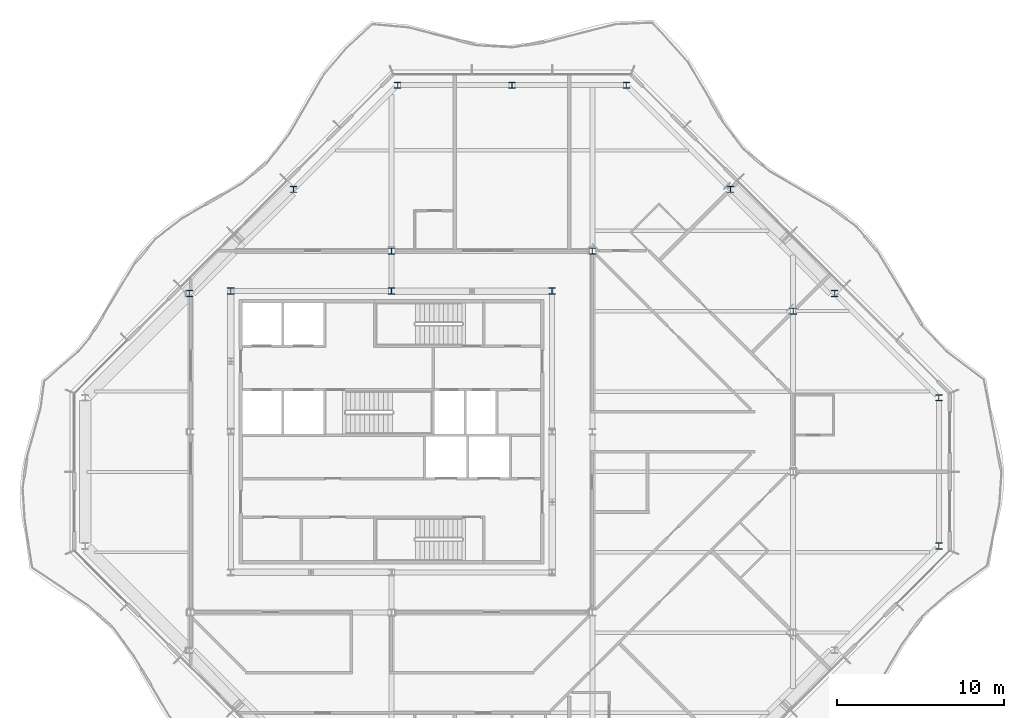
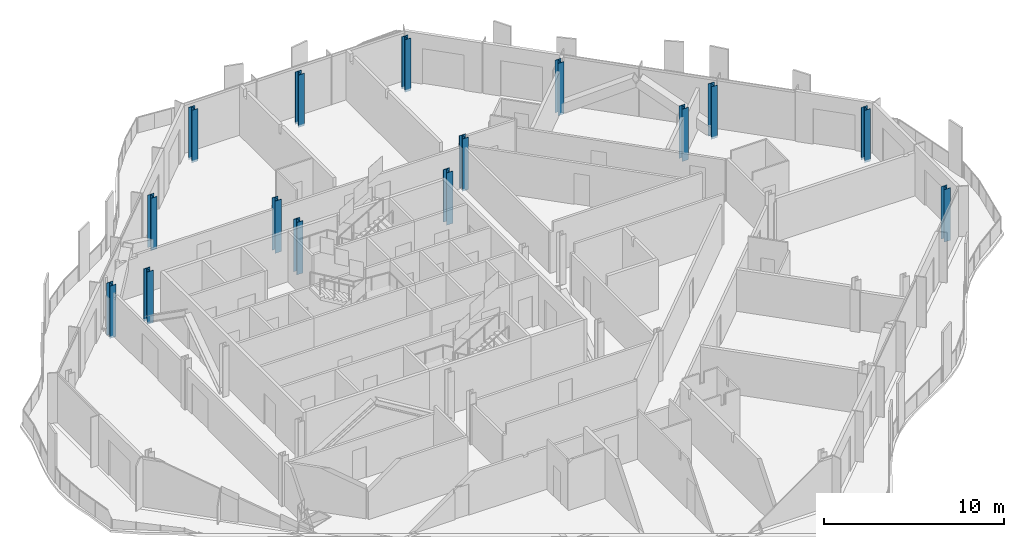
# One storey, part 2 of 17: 15 columns.
"""IFC4 building model written with IfcOpenShell, lengths in metres."""

from ifc_helpers import new_model, si_unit, direction, frame, origin, origin_2d, place, context, subcontext, project, spatial, i_section, extrude, material, material_profile, profile_set, type_object, element, save


model = new_model("IFC4")

# Units and contexts
model_context = context("Model", 3, precision=1e-05, world=origin(), true_north=direction((0.0, 1.0)))
body_context = subcontext(model_context, "Body", "Model", "MODEL_VIEW")
ifc_project = project(units=[si_unit("LENGTHUNIT", "METRE"), si_unit("AREAUNIT", "SQUARE_METRE"), si_unit("VOLUMEUNIT", "CUBIC_METRE"), si_unit("PLANEANGLEUNIT", "RADIAN"), si_unit("MASSUNIT", "GRAM", prefix="KILO")], contexts=[model_context])

# Site, building, storey
site_placement = place(None, origin())
site = spatial("IfcSite", under=ifc_project, at=site_placement, CompositionType="ELEMENT")
building_placement = place(site_placement, origin())
building = spatial("IfcBuilding", under=site, at=building_placement, Name="Cairn Pilgrim Tower", CompositionType="ELEMENT")
storey_placement = place(building_placement, frame((0.0, 0.0, 292.199951171875)))
storey = spatial("IfcBuildingStorey", under=building, at=storey_placement, Name="L75", CompositionType="ELEMENT", Elevation=292.199951171875)

# Columns
ifc_material = material(Name="Structural steel S355J2", Category="steel")
ifc_material_profile_1 = material_profile(ifc_material, i_section(OverallWidth=0.39111328125, OverallDepth=0.367919921875, WebThickness=0.014892578125, FlangeThickness=0.02392578125, FilletRadius=0.014892578125, at=origin_2d()), Name="HD 400x187")
ifc_profile_set_1 = profile_set([ifc_material_profile_1], Name="Structural steel S355J2")
column_type_1 = type_object("IfcColumnType", Name="HD 400x187", PredefinedType="COLUMN", material=ifc_profile_set_1)
for number, where, z_axis, x_axis, name in (
    (1, (39.89990234375, -4.42724609375, -0.14990234375), (0.0, 0.0, 1.0), (1.0, 0.0, 0.0), "PC4-E1"),
    (2, (39.89990234375, 4.42724609375, -0.14990234375), (0.0, 0.0, 1.0), (1.0, 0.0, 0.0), "PC4-NE1"),
    (3, (33.67578125, 10.651611328125, -0.14990234375), (0.0, 0.0, 1.0), (1.0, 0.0, 0.0), "PC4-NE2"),
    (4, (27.451416015625, 16.875732421875, -0.14990234375), (0.0, 0.0, 1.0), (1.0, 0.0, 0.0), "PC4-NE3"),
    (5, (21.227294921875, 23.10009765625, -0.14990234375), (0.0, 0.0, 1.0), (1.0, 0.0, 0.0), "PC4-N1"),
    (6, (14.39990234375, 23.10009765625, -0.14990234375), (0.0, 0.0, 1.0), (1.0, 0.0, 0.0), "PC4-N2"),
    (7, (7.57275390625, 23.10009765625, -0.14990234375), (0.0, 0.0, 1.0), (1.0, 0.0, 0.0), "PC4-NW1"),
    (8, (1.348388671875, 16.875732421875, -0.14990234375), (0.0, 0.0, 1.0), (1.0, 0.0, 0.0), "PC4-NW2"),
    (9, (-4.875732421875, 10.651611328125, -0.14990234375), (0.0, 0.0, 1.0), (1.0, 0.0, 0.0), "PC4-NW3"),
):
    element("IfcColumn", number, at=place(storey_placement, frame(where, z_axis=z_axis, x_axis=x_axis)), inside=storey, type_object=column_type_1, Name=name, PredefinedType="COLUMN", context=body_context, shape_type="SweptSolid", body=[
        extrude(i_section(OverallWidth=0.39111328125, OverallDepth=0.367919921875, WebThickness=0.014892578125, FlangeThickness=0.02392578125, FilletRadius=0.014892578125, at=origin_2d()), origin(), (0.0, 0.0, 1.0), 3.550048828125),
    ])
ifc_material_profile_2 = material_profile(ifc_material, i_section(OverallWidth=0.39404296875, OverallDepth=0.375, WebThickness=0.017333984375, FlangeThickness=0.027587890625, FilletRadius=0.014892578125, at=origin_2d()), Name="HD 400x216")
ifc_profile_set_2 = profile_set([ifc_material_profile_2], Name="Structural steel S355J2")
column_type_2 = type_object("IfcColumnType", Name="HD 400x216", PredefinedType="COLUMN", material=ifc_profile_set_2)
for number, where, z_axis, x_axis, name in (
    (10, (7.199951171875, 13.199951171875, -0.14990234375), (0.0, 0.0, 1.0), (1.0, 0.0, 0.0), "IC-7"),
    (11, (19.199951171875, 13.199951171875, -0.14990234375), (0.0, 0.0, 1.0), (1.0, 0.0, 0.0), "IC-8"),
    (12, (31.199951171875, 9.60009765625, -0.14990234375), (0.0, 0.0, 1.0), (1.0, 0.0, 0.0), "WC-WE+2"),
):
    element("IfcColumn", number, at=place(storey_placement, frame(where, z_axis=z_axis, x_axis=x_axis)), inside=storey, type_object=column_type_2, Name=name, PredefinedType="COLUMN", context=body_context, shape_type="SweptSolid", body=[
        extrude(i_section(OverallWidth=0.39404296875, OverallDepth=0.375, WebThickness=0.017333984375, FlangeThickness=0.027587890625, FilletRadius=0.014892578125, at=origin_2d()), origin(), (0.0, 0.0, 1.0), 3.550048828125),
    ])
ifc_material_profile_3 = material_profile(ifc_material, i_section(OverallWidth=0.39794921875, OverallDepth=0.386962890625, WebThickness=0.02099609375, FlangeThickness=0.033203125, FilletRadius=0.014892578125, at=origin_2d()), Name="HD 400x262")
ifc_profile_set_3 = profile_set([ifc_material_profile_3], Name="Structural steel S355J2")
column_type_3 = type_object("IfcColumnType", Name="HD 400x262", PredefinedType="COLUMN", material=ifc_profile_set_3)
for number, where, z_axis, x_axis, name in (
    (13, (-2.39990234375, 10.800048828125, -0.14990234375), (0.0, 0.0, 1.0), (1.0, 0.0, 0.0), "KC-6"),
    (14, (7.199951171875, 10.800048828125, -0.14990234375), (0.0, 0.0, 1.0), (1.0, 0.0, 0.0), "KC-7"),
    (15, (16.800048828125, 10.800048828125, -0.14990234375), (0.0, 0.0, 1.0), (1.0, 0.0, 0.0), "KC-8"),
):
    element("IfcColumn", number, at=place(storey_placement, frame(where, z_axis=z_axis, x_axis=x_axis)), inside=storey, type_object=column_type_3, Name=name, PredefinedType="COLUMN", context=body_context, shape_type="SweptSolid", body=[
        extrude(i_section(OverallWidth=0.39794921875, OverallDepth=0.386962890625, WebThickness=0.02099609375, FlangeThickness=0.033203125, FilletRadius=0.014892578125, at=origin_2d()), origin(), (0.0, 0.0, 1.0), 3.550048828125),
    ])

save(model, "model.ifc")
